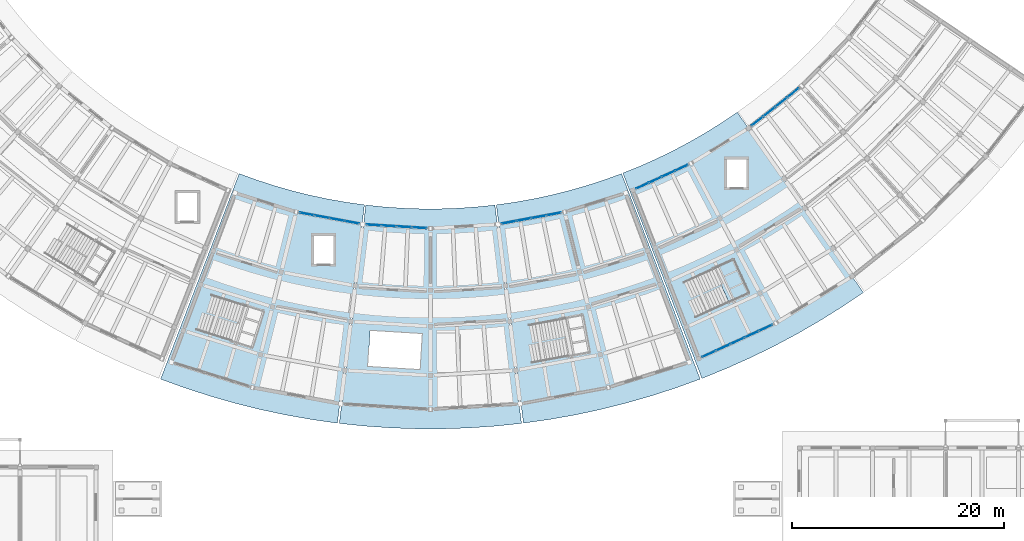
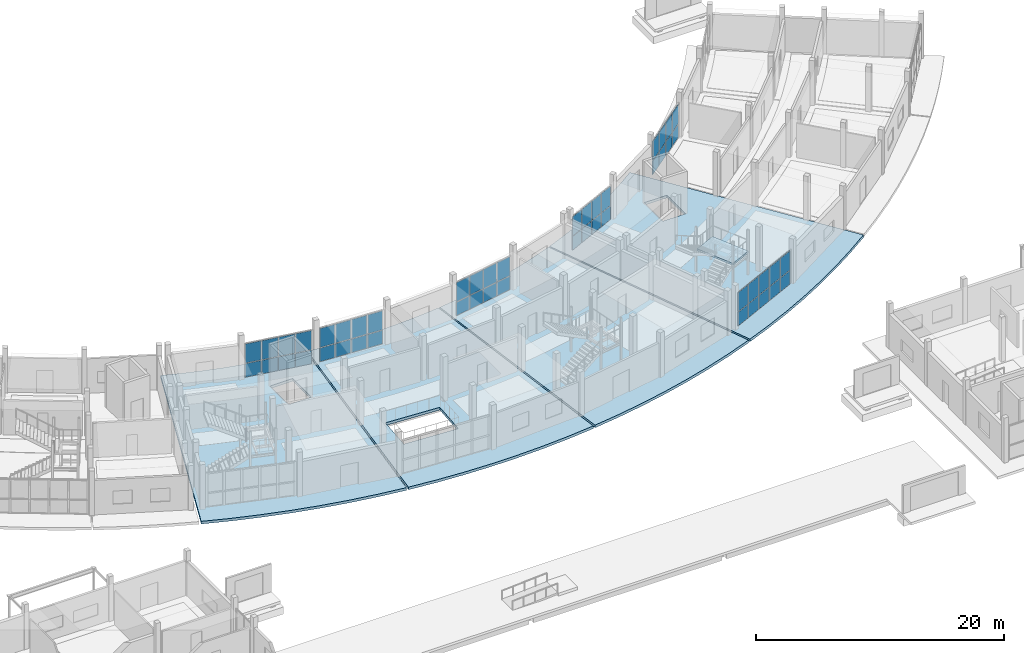
# One storey, part 52 of 92: 50 plates, 5 slabs, 7 elements without a shape of their own.
"""IFC4 building model written with IfcOpenShell, lengths in metres."""

from ifc_helpers import new_model, si_unit, direction, frame, origin, origin_2d, place, context, subcontext, project, spatial, polyline, rectangle, outline, extrude, material, layer, layer_set, type_object, element, aggregate, save


model = new_model("IFC4")

# Units and contexts
model_context = context("Model", 3, precision=1e-05, world=origin(), true_north=direction((0.0, 1.0)))
body_context = subcontext(model_context, "Body", "Model", "MODEL_VIEW")
ifc_project = project(units=[si_unit("LENGTHUNIT", "METRE"), si_unit("AREAUNIT", "SQUARE_METRE"), si_unit("VOLUMEUNIT", "CUBIC_METRE"), si_unit("PLANEANGLEUNIT", "RADIAN"), si_unit("MASSUNIT", "GRAM", prefix="KILO")], contexts=[model_context])

# Site, building, storey
site_placement = place(None, origin())
site = spatial("IfcSite", under=ifc_project, at=site_placement, CompositionType="ELEMENT")
building_placement = place(site_placement, origin())
building = spatial("IfcBuilding", under=site, at=building_placement, Name="Caldaven Crescent School", CompositionType="ELEMENT")
storey_placement = place(building_placement, origin())
storey = spatial("IfcBuildingStorey", under=building, at=storey_placement, Name="L00", CompositionType="ELEMENT", Elevation=0.0)

# Curtain wall, plates
ifc_material_1 = material(Name="Anodised aluminium AA 6063-T6 and low-E double glazing", Category="aluminium")
ifc_layer_1 = layer(ifc_material_1, 0.22998046875)
ifc_layer_set_1 = layer_set([ifc_layer_1], Name="Anodised aluminium AA 6063-T6 and low-E double glazing")
curtain_wall_type_1 = type_object("IfcCurtainWallType", Name="CW-SYS4", PredefinedType="NOTDEFINED", material=ifc_layer_set_1)
curtain_wall_1_placement = place(storey_placement, origin())
curtain_wall_1 = element("IfcCurtainWall", 1, at=curtain_wall_1_placement, inside=storey, type_object=curtain_wall_type_1, Name="CW-L00-108", PredefinedType="NOTDEFINED")
ifc_material_2 = material(Name="Tempered low-E double glazing IGU", Category="glass")
ifc_layer_2 = layer(ifc_material_2, 0.050048828125)
ifc_layer_set_2 = layer_set([ifc_layer_2], Name="Tempered low-E double glazing IGU")
plate_type_1 = type_object("IfcPlateType", Name="PLT-CWP13", PredefinedType="CURTAIN_PANEL", material=ifc_layer_set_2)
plate_1_placement = place(storey_placement, frame((76.33544921875, 44.918212890625, 0.06005859375), z_axis=(0.0, 0.0, 1.0), x_axis=(0.983254744401, -0.182236405836, 0.0)))
plate_1 = element("IfcPlate", 2, at=plate_1_placement, type_object=plate_type_1, Name="CW4 panel 1.1", PredefinedType="CURTAIN_PANEL", context=body_context, shape_type="SweptSolid", body=[
    extrude(rectangle(XDim=1.353515625, YDim=0.050048828125, at=origin_2d()), origin(), (0.0, 0.0, 1.0), 1.337890625),
])
plate_2_placement = place(storey_placement, frame((76.33544921875, 44.918212890625, 1.4580078125), z_axis=(0.0, 0.0, 1.0), x_axis=(0.983254744401, -0.182236405836, 0.0)))
plate_2 = element("IfcPlate", 3, at=plate_2_placement, type_object=plate_type_1, Name="CW4 panel 1.2", PredefinedType="CURTAIN_PANEL", context=body_context, shape_type="SweptSolid", body=[
    extrude(rectangle(XDim=1.353515625, YDim=0.050048828125, at=origin_2d()), origin(), (0.0, 0.0, 1.0), 1.882080078125),
])
plate_3_placement = place(storey_placement, frame((77.746337890625, 44.65673828125, 0.06005859375), z_axis=(0.0, 0.0, 1.0), x_axis=(0.983254744401, -0.182236405836, 0.0)))
plate_3 = element("IfcPlate", 4, at=plate_3_placement, type_object=plate_type_1, Name="CW4 panel 2.1", PredefinedType="CURTAIN_PANEL", context=body_context, shape_type="SweptSolid", body=[
    extrude(rectangle(XDim=1.385986328125, YDim=0.050048828125, at=origin_2d()), origin(), (0.0, 0.0, 1.0), 1.337890625),
])
plate_4_placement = place(storey_placement, frame((77.746337890625, 44.65673828125, 1.4580078125), z_axis=(0.0, 0.0, 1.0), x_axis=(0.983254744401, -0.182236405836, 0.0)))
plate_4 = element("IfcPlate", 5, at=plate_4_placement, type_object=plate_type_1, Name="CW4 panel 2.2", PredefinedType="CURTAIN_PANEL", context=body_context, shape_type="SweptSolid", body=[
    extrude(rectangle(XDim=1.385986328125, YDim=0.050048828125, at=origin_2d()), origin(), (0.0, 0.0, 1.0), 1.882080078125),
])
plate_5_placement = place(storey_placement, frame((79.1728515625, 44.392333984375, 0.06005859375), z_axis=(0.0, 0.0, 1.0), x_axis=(0.983254744401, -0.182236405836, 0.0)))
plate_5 = element("IfcPlate", 6, at=plate_5_placement, type_object=plate_type_1, Name="CW4 panel 3.1", PredefinedType="CURTAIN_PANEL", context=body_context, shape_type="SweptSolid", body=[
    extrude(rectangle(XDim=1.385986328125, YDim=0.050048828125, at=origin_2d()), origin(), (0.0, 0.0, 1.0), 1.337890625),
])
plate_6_placement = place(storey_placement, frame((79.1728515625, 44.392333984375, 1.4580078125), z_axis=(0.0, 0.0, 1.0), x_axis=(0.983254744401, -0.182236405836, 0.0)))
plate_6 = element("IfcPlate", 7, at=plate_6_placement, type_object=plate_type_1, Name="CW4 panel 3.2", PredefinedType="CURTAIN_PANEL", context=body_context, shape_type="SweptSolid", body=[
    extrude(rectangle(XDim=1.385986328125, YDim=0.050048828125, at=origin_2d()), origin(), (0.0, 0.0, 1.0), 1.882080078125),
])
plate_7_placement = place(storey_placement, frame((80.583740234375, 44.130859375, 0.06005859375), z_axis=(0.0, 0.0, 1.0), x_axis=(0.983254744401, -0.182236405836, 0.0)))
plate_7 = element("IfcPlate", 8, at=plate_7_placement, type_object=plate_type_1, Name="CW4 panel 4.1", PredefinedType="CURTAIN_PANEL", context=body_context, shape_type="SweptSolid", body=[
    extrude(rectangle(XDim=1.353515625, YDim=0.050048828125, at=origin_2d()), origin(), (0.0, 0.0, 1.0), 1.337890625),
])
plate_8_placement = place(storey_placement, frame((80.583740234375, 44.130859375, 1.4580078125), z_axis=(0.0, 0.0, 1.0), x_axis=(0.983254744401, -0.182236405836, 0.0)))
plate_8 = element("IfcPlate", 9, at=plate_8_placement, type_object=plate_type_1, Name="CW4 panel 4.2", PredefinedType="CURTAIN_PANEL", context=body_context, shape_type="SweptSolid", body=[
    extrude(rectangle(XDim=1.353515625, YDim=0.050048828125, at=origin_2d()), origin(), (0.0, 0.0, 1.0), 1.882080078125),
])
aggregate(curtain_wall_1, [plate_1, plate_2, plate_3, plate_4, plate_5, plate_6, plate_7, plate_8])

ifc_layer_3 = layer(ifc_material_1, 0.169921875)
ifc_layer_set_3 = layer_set([ifc_layer_3], Name="Anodised aluminium AA 6063-T6 and low-E double glazing")
curtain_wall_type_2 = type_object("IfcCurtainWallType", Name="CW-SYS1", PredefinedType="NOTDEFINED", material=ifc_layer_set_3)
curtain_wall_2_placement = place(storey_placement, origin())
curtain_wall_2 = element("IfcCurtainWall", 10, at=curtain_wall_2_placement, inside=storey, type_object=curtain_wall_type_2, Name="CW-L00-109", PredefinedType="NOTDEFINED")
ifc_layer_4 = layer(ifc_material_2, 0.052001953125)
ifc_layer_set_4 = layer_set([ifc_layer_4], Name="Tempered low-E double glazing IGU")
plate_type_2 = type_object("IfcPlateType", Name="PLT-CWP14", PredefinedType="CURTAIN_PANEL", material=ifc_layer_set_4)
plate_9_placement = place(storey_placement, frame((82.64892578125, 43.877197265625, 0.06494140625), z_axis=(0.0, 0.0, 1.0), x_axis=(0.998134750717, -0.061049319496, 0.0)))
plate_9 = element("IfcPlate", 11, at=plate_9_placement, type_object=plate_type_2, Name="CW1 panel 1.1", PredefinedType="CURTAIN_PANEL", context=body_context, shape_type="SweptSolid", body=[
    extrude(rectangle(XDim=1.345947265625, YDim=0.052001953125, at=origin_2d()), origin(), (0.0, 0.0, 1.0), 1.33056640625),
])
plate_10_placement = place(storey_placement, frame((82.64892578125, 43.877197265625, 1.46044921875), z_axis=(0.0, 0.0, 1.0), x_axis=(0.998134750717, -0.061049319496, 0.0)))
plate_10 = element("IfcPlate", 12, at=plate_10_placement, type_object=plate_type_2, Name="CW1 panel 1.2", PredefinedType="CURTAIN_PANEL", context=body_context, shape_type="SweptSolid", body=[
    extrude(rectangle(XDim=1.345947265625, YDim=0.052001953125, at=origin_2d()), origin(), (0.0, 0.0, 1.0), 1.87451171875),
])
plate_11_placement = place(storey_placement, frame((84.079833984375, 43.789794921875, 0.06494140625), z_axis=(0.0, 0.0, 1.0), x_axis=(0.998134750717, -0.061049319496, 0.0)))
plate_11 = element("IfcPlate", 13, at=plate_11_placement, type_object=plate_type_2, Name="CW1 panel 2.1", PredefinedType="CURTAIN_PANEL", context=body_context, shape_type="SweptSolid", body=[
    extrude(rectangle(XDim=1.381103515625, YDim=0.052001953125, at=origin_2d()), origin(), (0.0, 0.0, 1.0), 1.33056640625),
])
plate_12_placement = place(storey_placement, frame((84.079833984375, 43.789794921875, 1.46044921875), z_axis=(0.0, 0.0, 1.0), x_axis=(0.998134750717, -0.061049319496, 0.0)))
plate_12 = element("IfcPlate", 14, at=plate_12_placement, type_object=plate_type_2, Name="CW1 panel 2.2", PredefinedType="CURTAIN_PANEL", context=body_context, shape_type="SweptSolid", body=[
    extrude(rectangle(XDim=1.381103515625, YDim=0.052001953125, at=origin_2d()), origin(), (0.0, 0.0, 1.0), 1.87451171875),
])
plate_13_placement = place(storey_placement, frame((85.528076171875, 43.701171875, 0.06494140625), z_axis=(0.0, 0.0, 1.0), x_axis=(0.998134750717, -0.061049319496, 0.0)))
plate_13 = element("IfcPlate", 15, at=plate_13_placement, type_object=plate_type_2, Name="CW1 panel 3.1", PredefinedType="CURTAIN_PANEL", context=body_context, shape_type="SweptSolid", body=[
    extrude(rectangle(XDim=1.381103515625, YDim=0.052001953125, at=origin_2d()), origin(), (0.0, 0.0, 1.0), 1.33056640625),
])
plate_14_placement = place(storey_placement, frame((85.528076171875, 43.701171875, 1.46044921875), z_axis=(0.0, 0.0, 1.0), x_axis=(0.998134750717, -0.061049319496, 0.0)))
plate_14 = element("IfcPlate", 16, at=plate_14_placement, type_object=plate_type_2, Name="CW1 panel 3.2", PredefinedType="CURTAIN_PANEL", context=body_context, shape_type="SweptSolid", body=[
    extrude(rectangle(XDim=1.381103515625, YDim=0.052001953125, at=origin_2d()), origin(), (0.0, 0.0, 1.0), 1.87451171875),
])
plate_15_placement = place(storey_placement, frame((86.958984375, 43.61376953125, 0.06494140625), z_axis=(0.0, 0.0, 1.0), x_axis=(0.998134750717, -0.061049319496, 0.0)))
plate_15 = element("IfcPlate", 17, at=plate_15_placement, type_object=plate_type_2, Name="CW1 panel 4.1", PredefinedType="CURTAIN_PANEL", context=body_context, shape_type="SweptSolid", body=[
    extrude(rectangle(XDim=1.345947265625, YDim=0.052001953125, at=origin_2d()), origin(), (0.0, 0.0, 1.0), 1.33056640625),
])
plate_16_placement = place(storey_placement, frame((86.958984375, 43.61376953125, 1.46044921875), z_axis=(0.0, 0.0, 1.0), x_axis=(0.998134750717, -0.061049319496, 0.0)))
plate_16 = element("IfcPlate", 18, at=plate_16_placement, type_object=plate_type_2, Name="CW1 panel 4.2", PredefinedType="CURTAIN_PANEL", context=body_context, shape_type="SweptSolid", body=[
    extrude(rectangle(XDim=1.345947265625, YDim=0.052001953125, at=origin_2d()), origin(), (0.0, 0.0, 1.0), 1.87451171875),
])
aggregate(curtain_wall_2, [plate_9, plate_10, plate_11, plate_12, plate_13, plate_14, plate_15, plate_16])

ifc_layer_5 = layer(ifc_material_1, 0.2099609375)
ifc_layer_set_5 = layer_set([ifc_layer_5], Name="Anodised aluminium AA 6063-T6 and low-E double glazing")
curtain_wall_type_3 = type_object("IfcCurtainWallType", Name="CW-SYS3", PredefinedType="NOTDEFINED", material=ifc_layer_set_5)
curtain_wall_3_placement = place(storey_placement, origin())
curtain_wall_3 = element("IfcCurtainWall", 19, at=curtain_wall_3_placement, inside=storey, type_object=curtain_wall_type_3, Name="CW-L00-111", PredefinedType="NOTDEFINED")
ifc_layer_6 = layer(ifc_material_2, 0.055908203125)
ifc_layer_set_6 = layer_set([ifc_layer_6], Name="Tempered low-E double glazing IGU")
plate_type_3 = type_object("IfcPlateType", Name="PLT-CWP16", PredefinedType="CURTAIN_PANEL", material=ifc_layer_set_6)
plate_17_placement = place(storey_placement, frame((95.416259765625, 44.130859375, 0.06982421875), z_axis=(0.0, 0.0, 1.0), x_axis=(0.983254744401, 0.182236405836, 0.0)))
plate_17 = element("IfcPlate", 20, at=plate_17_placement, type_object=plate_type_3, Name="CW3 panel 1.1", PredefinedType="CURTAIN_PANEL", context=body_context, shape_type="SweptSolid", body=[
    extrude(rectangle(XDim=1.353515625, YDim=0.055908203125, at=origin_2d()), origin(), (0.0, 0.0, 1.0), 1.322998046875),
])
plate_18_placement = place(storey_placement, frame((95.416259765625, 44.130859375, 1.462890625), z_axis=(0.0, 0.0, 1.0), x_axis=(0.983254744401, 0.182236405836, 0.0)))
plate_18 = element("IfcPlate", 21, at=plate_18_placement, type_object=plate_type_3, Name="CW3 panel 1.2", PredefinedType="CURTAIN_PANEL", context=body_context, shape_type="SweptSolid", body=[
    extrude(rectangle(XDim=1.353515625, YDim=0.055908203125, at=origin_2d()), origin(), (0.0, 0.0, 1.0), 1.866943359375),
])
plate_19_placement = place(storey_placement, frame((96.8271484375, 44.392333984375, 0.06982421875), z_axis=(0.0, 0.0, 1.0), x_axis=(0.983254744401, 0.182236405836, 0.0)))
plate_19 = element("IfcPlate", 22, at=plate_19_placement, type_object=plate_type_3, Name="CW3 panel 2.1", PredefinedType="CURTAIN_PANEL", context=body_context, shape_type="SweptSolid", body=[
    extrude(rectangle(XDim=1.385986328125, YDim=0.055908203125, at=origin_2d()), origin(), (0.0, 0.0, 1.0), 1.322998046875),
])
plate_20_placement = place(storey_placement, frame((96.8271484375, 44.392333984375, 1.462890625), z_axis=(0.0, 0.0, 1.0), x_axis=(0.983254744401, 0.182236405836, 0.0)))
plate_20 = element("IfcPlate", 23, at=plate_20_placement, type_object=plate_type_3, Name="CW3 panel 2.2", PredefinedType="CURTAIN_PANEL", context=body_context, shape_type="SweptSolid", body=[
    extrude(rectangle(XDim=1.385986328125, YDim=0.055908203125, at=origin_2d()), origin(), (0.0, 0.0, 1.0), 1.866943359375),
])
plate_21_placement = place(storey_placement, frame((98.253662109375, 44.65673828125, 0.06982421875), z_axis=(0.0, 0.0, 1.0), x_axis=(0.983254744401, 0.182236405836, 0.0)))
plate_21 = element("IfcPlate", 24, at=plate_21_placement, type_object=plate_type_3, Name="CW3 panel 3.1", PredefinedType="CURTAIN_PANEL", context=body_context, shape_type="SweptSolid", body=[
    extrude(rectangle(XDim=1.385986328125, YDim=0.055908203125, at=origin_2d()), origin(), (0.0, 0.0, 1.0), 1.322998046875),
])
plate_22_placement = place(storey_placement, frame((98.253662109375, 44.65673828125, 1.462890625), z_axis=(0.0, 0.0, 1.0), x_axis=(0.983254744401, 0.182236405836, 0.0)))
plate_22 = element("IfcPlate", 25, at=plate_22_placement, type_object=plate_type_3, Name="CW3 panel 3.2", PredefinedType="CURTAIN_PANEL", context=body_context, shape_type="SweptSolid", body=[
    extrude(rectangle(XDim=1.385986328125, YDim=0.055908203125, at=origin_2d()), origin(), (0.0, 0.0, 1.0), 1.866943359375),
])
plate_23_placement = place(storey_placement, frame((99.66455078125, 44.918212890625, 0.06982421875), z_axis=(0.0, 0.0, 1.0), x_axis=(0.983254744401, 0.182236405836, 0.0)))
plate_23 = element("IfcPlate", 26, at=plate_23_placement, type_object=plate_type_3, Name="CW3 panel 4.1", PredefinedType="CURTAIN_PANEL", context=body_context, shape_type="SweptSolid", body=[
    extrude(rectangle(XDim=1.353515625, YDim=0.055908203125, at=origin_2d()), origin(), (0.0, 0.0, 1.0), 1.322998046875),
])
plate_24_placement = place(storey_placement, frame((99.66455078125, 44.918212890625, 1.462890625), z_axis=(0.0, 0.0, 1.0), x_axis=(0.983254744401, 0.182236405836, 0.0)))
plate_24 = element("IfcPlate", 27, at=plate_24_placement, type_object=plate_type_3, Name="CW3 panel 4.2", PredefinedType="CURTAIN_PANEL", context=body_context, shape_type="SweptSolid", body=[
    extrude(rectangle(XDim=1.353515625, YDim=0.055908203125, at=origin_2d()), origin(), (0.0, 0.0, 1.0), 1.866943359375),
])
aggregate(curtain_wall_3, [plate_17, plate_18, plate_19, plate_20, plate_21, plate_22, plate_23, plate_24])

curtain_wall_4_placement = place(storey_placement, origin())
curtain_wall_4 = element("IfcCurtainWall", 28, at=curtain_wall_4_placement, inside=storey, type_object=curtain_wall_type_2, Name="CW-L00-112", PredefinedType="NOTDEFINED")
ifc_layer_7 = layer(ifc_material_2, 0.05810546875)
ifc_layer_set_7 = layer_set([ifc_layer_7], Name="Tempered low-E double glazing IGU")
plate_type_4 = type_object("IfcPlateType", Name="PLT-CWP17", PredefinedType="CURTAIN_PANEL", material=ifc_layer_set_7)
plate_25_placement = place(storey_placement, frame((108.03759765625, 47.580078125, 0.06005859375), z_axis=(0.0, 0.0, 1.0), x_axis=(0.908527944654, 0.417824094306, 0.0)))
plate_25 = element("IfcPlate", 29, at=plate_25_placement, type_object=plate_type_4, Name="CW1 panel 1.1", PredefinedType="CURTAIN_PANEL", context=body_context, shape_type="SweptSolid", body=[
    extrude(rectangle(XDim=1.270751953125, YDim=0.05810546875, at=origin_2d()), origin(), (0.0, 0.0, 1.0), 1.337890625),
])
plate_26_placement = place(storey_placement, frame((108.03759765625, 47.580078125, 1.4580078125), z_axis=(0.0, 0.0, 1.0), x_axis=(0.908527944654, 0.417824094306, 0.0)))
plate_26 = element("IfcPlate", 30, at=plate_26_placement, type_object=plate_type_4, Name="CW1 panel 1.2", PredefinedType="CURTAIN_PANEL", context=body_context, shape_type="SweptSolid", body=[
    extrude(rectangle(XDim=1.270751953125, YDim=0.05810546875, at=origin_2d()), origin(), (0.0, 0.0, 1.0), 1.882080078125),
])
plate_27_placement = place(storey_placement, frame((109.26025390625, 48.142578125, 0.06005859375), z_axis=(0.0, 0.0, 1.0), x_axis=(0.908527944654, 0.417824094306, 0.0)))
plate_27 = element("IfcPlate", 31, at=plate_27_placement, type_object=plate_type_4, Name="CW1 panel 2.1", PredefinedType="CURTAIN_PANEL", context=body_context, shape_type="SweptSolid", body=[
    extrude(rectangle(XDim=1.30078125, YDim=0.05810546875, at=origin_2d()), origin(), (0.0, 0.0, 1.0), 1.337890625),
])
plate_28_placement = place(storey_placement, frame((109.26025390625, 48.142578125, 1.4580078125), z_axis=(0.0, 0.0, 1.0), x_axis=(0.908527944654, 0.417824094306, 0.0)))
plate_28 = element("IfcPlate", 32, at=plate_28_placement, type_object=plate_type_4, Name="CW1 panel 2.2", PredefinedType="CURTAIN_PANEL", context=body_context, shape_type="SweptSolid", body=[
    extrude(rectangle(XDim=1.30078125, YDim=0.05810546875, at=origin_2d()), origin(), (0.0, 0.0, 1.0), 1.882080078125),
])
plate_29_placement = place(storey_placement, frame((110.49658203125, 48.711181640625, 0.06005859375), z_axis=(0.0, 0.0, 1.0), x_axis=(0.908527944654, 0.417824094306, 0.0)))
plate_29 = element("IfcPlate", 33, at=plate_29_placement, type_object=plate_type_4, Name="CW1 panel 3.1", PredefinedType="CURTAIN_PANEL", context=body_context, shape_type="SweptSolid", body=[
    extrude(rectangle(XDim=1.30078125, YDim=0.05810546875, at=origin_2d()), origin(), (0.0, 0.0, 1.0), 1.337890625),
])
plate_30_placement = place(storey_placement, frame((110.49658203125, 48.711181640625, 1.4580078125), z_axis=(0.0, 0.0, 1.0), x_axis=(0.908527944654, 0.417824094306, 0.0)))
plate_30 = element("IfcPlate", 34, at=plate_30_placement, type_object=plate_type_4, Name="CW1 panel 3.2", PredefinedType="CURTAIN_PANEL", context=body_context, shape_type="SweptSolid", body=[
    extrude(rectangle(XDim=1.30078125, YDim=0.05810546875, at=origin_2d()), origin(), (0.0, 0.0, 1.0), 1.882080078125),
])
plate_31_placement = place(storey_placement, frame((111.719482421875, 49.2734375, 0.06005859375), z_axis=(0.0, 0.0, 1.0), x_axis=(0.908527944654, 0.417824094306, 0.0)))
plate_31 = element("IfcPlate", 35, at=plate_31_placement, type_object=plate_type_4, Name="CW1 panel 4.1", PredefinedType="CURTAIN_PANEL", context=body_context, shape_type="SweptSolid", body=[
    extrude(rectangle(XDim=1.270751953125, YDim=0.05810546875, at=origin_2d()), origin(), (0.0, 0.0, 1.0), 1.337890625),
])
plate_32_placement = place(storey_placement, frame((111.719482421875, 49.2734375, 1.4580078125), z_axis=(0.0, 0.0, 1.0), x_axis=(0.908527944654, 0.417824094306, 0.0)))
plate_32 = element("IfcPlate", 36, at=plate_32_placement, type_object=plate_type_4, Name="CW1 panel 4.2", PredefinedType="CURTAIN_PANEL", context=body_context, shape_type="SweptSolid", body=[
    extrude(rectangle(XDim=1.270751953125, YDim=0.05810546875, at=origin_2d()), origin(), (0.0, 0.0, 1.0), 1.882080078125),
])
aggregate(curtain_wall_4, [plate_25, plate_26, plate_27, plate_28, plate_29, plate_30, plate_31, plate_32])

curtain_wall_5_placement = place(storey_placement, origin())
curtain_wall_5 = element("IfcCurtainWall", 37, at=curtain_wall_5_placement, inside=storey, type_object=curtain_wall_type_3, Name="CW-L00-113", PredefinedType="NOTDEFINED")
ifc_layer_8 = layer(ifc_material_2, 0.06005859375)
ifc_layer_set_8 = layer_set([ifc_layer_8], Name="Tempered low-E double glazing IGU")
plate_type_5 = type_object("IfcPlateType", Name="PLT-CWP18", PredefinedType="CURTAIN_PANEL", material=ifc_layer_set_8)
plate_33_placement = place(storey_placement, frame((114.3330078125, 31.68505859375, 0.06494140625), z_axis=(0.0, 0.0, 1.0), x_axis=(0.908528252306, 0.417823425339, 0.0)))
plate_33 = element("IfcPlate", 38, at=plate_33_placement, type_object=plate_type_5, Name="CW3 panel 1.1", PredefinedType="CURTAIN_PANEL", context=body_context, shape_type="SweptSolid", body=[
    extrude(rectangle(XDim=1.377685546875, YDim=0.06005859375, at=origin_2d()), origin(), (0.0, 0.0, 1.0), 1.33056640625),
])
plate_34_placement = place(storey_placement, frame((114.3330078125, 31.68505859375, 1.46044921875), z_axis=(0.0, 0.0, 1.0), x_axis=(0.908528252306, 0.417823425339, 0.0)))
plate_34 = element("IfcPlate", 39, at=plate_34_placement, type_object=plate_type_5, Name="CW3 panel 1.2", PredefinedType="CURTAIN_PANEL", context=body_context, shape_type="SweptSolid", body=[
    extrude(rectangle(XDim=1.377685546875, YDim=0.06005859375, at=origin_2d()), origin(), (0.0, 0.0, 1.0), 1.87451171875),
])
plate_35_placement = place(storey_placement, frame((115.664306640625, 32.29736328125, 0.06494140625), z_axis=(0.0, 0.0, 1.0), x_axis=(0.908528252306, 0.417823425339, 0.0)))
plate_35 = element("IfcPlate", 40, at=plate_35_placement, type_object=plate_type_5, Name="CW3 panel 2.1", PredefinedType="CURTAIN_PANEL", context=body_context, shape_type="SweptSolid", body=[
    extrude(rectangle(XDim=1.412841796875, YDim=0.06005859375, at=origin_2d()), origin(), (0.0, 0.0, 1.0), 1.33056640625),
])
plate_36_placement = place(storey_placement, frame((115.664306640625, 32.29736328125, 1.46044921875), z_axis=(0.0, 0.0, 1.0), x_axis=(0.908528252306, 0.417823425339, 0.0)))
plate_36 = element("IfcPlate", 41, at=plate_36_placement, type_object=plate_type_5, Name="CW3 panel 2.2", PredefinedType="CURTAIN_PANEL", context=body_context, shape_type="SweptSolid", body=[
    extrude(rectangle(XDim=1.412841796875, YDim=0.06005859375, at=origin_2d()), origin(), (0.0, 0.0, 1.0), 1.87451171875),
])
plate_37_placement = place(storey_placement, frame((117.011474609375, 32.916748046875, 0.06494140625), z_axis=(0.0, 0.0, 1.0), x_axis=(0.908528252306, 0.417823425339, 0.0)))
plate_37 = element("IfcPlate", 42, at=plate_37_placement, type_object=plate_type_5, Name="CW3 panel 3.1", PredefinedType="CURTAIN_PANEL", context=body_context, shape_type="SweptSolid", body=[
    extrude(rectangle(XDim=1.412841796875, YDim=0.06005859375, at=origin_2d()), origin(), (0.0, 0.0, 1.0), 1.33056640625),
])
plate_38_placement = place(storey_placement, frame((117.011474609375, 32.916748046875, 1.46044921875), z_axis=(0.0, 0.0, 1.0), x_axis=(0.908528252306, 0.417823425339, 0.0)))
plate_38 = element("IfcPlate", 43, at=plate_38_placement, type_object=plate_type_5, Name="CW3 panel 3.2", PredefinedType="CURTAIN_PANEL", context=body_context, shape_type="SweptSolid", body=[
    extrude(rectangle(XDim=1.412841796875, YDim=0.06005859375, at=origin_2d()), origin(), (0.0, 0.0, 1.0), 1.87451171875),
])
plate_39_placement = place(storey_placement, frame((118.3583984375, 33.536376953125, 0.06494140625), z_axis=(0.0, 0.0, 1.0), x_axis=(0.908528252306, 0.417823425339, 0.0)))
plate_39 = element("IfcPlate", 44, at=plate_39_placement, type_object=plate_type_5, Name="CW3 panel 4.1", PredefinedType="CURTAIN_PANEL", context=body_context, shape_type="SweptSolid", body=[
    extrude(rectangle(XDim=1.412841796875, YDim=0.06005859375, at=origin_2d()), origin(), (0.0, 0.0, 1.0), 1.33056640625),
])
plate_40_placement = place(storey_placement, frame((118.3583984375, 33.536376953125, 1.46044921875), z_axis=(0.0, 0.0, 1.0), x_axis=(0.908528252306, 0.417823425339, 0.0)))
plate_40 = element("IfcPlate", 45, at=plate_40_placement, type_object=plate_type_5, Name="CW3 panel 4.2", PredefinedType="CURTAIN_PANEL", context=body_context, shape_type="SweptSolid", body=[
    extrude(rectangle(XDim=1.412841796875, YDim=0.06005859375, at=origin_2d()), origin(), (0.0, 0.0, 1.0), 1.87451171875),
])
plate_41_placement = place(storey_placement, frame((119.689697265625, 34.148681640625, 0.06494140625), z_axis=(0.0, 0.0, 1.0), x_axis=(0.908528252306, 0.417823425339, 0.0)))
plate_41 = element("IfcPlate", 46, at=plate_41_placement, type_object=plate_type_5, Name="CW3 panel 5.1", PredefinedType="CURTAIN_PANEL", context=body_context, shape_type="SweptSolid", body=[
    extrude(rectangle(XDim=1.377685546875, YDim=0.06005859375, at=origin_2d()), origin(), (0.0, 0.0, 1.0), 1.33056640625),
])
plate_42_placement = place(storey_placement, frame((119.689697265625, 34.148681640625, 1.46044921875), z_axis=(0.0, 0.0, 1.0), x_axis=(0.908528252306, 0.417823425339, 0.0)))
plate_42 = element("IfcPlate", 47, at=plate_42_placement, type_object=plate_type_5, Name="CW3 panel 5.2", PredefinedType="CURTAIN_PANEL", context=body_context, shape_type="SweptSolid", body=[
    extrude(rectangle(XDim=1.377685546875, YDim=0.06005859375, at=origin_2d()), origin(), (0.0, 0.0, 1.0), 1.87451171875),
])
aggregate(curtain_wall_5, [plate_33, plate_34, plate_35, plate_36, plate_37, plate_38, plate_39, plate_40, plate_41, plate_42])

curtain_wall_6_placement = place(storey_placement, origin())
curtain_wall_6 = element("IfcCurtainWall", 48, at=curtain_wall_6_placement, inside=storey, type_object=curtain_wall_type_3, Name="CW-L00-114", PredefinedType="NOTDEFINED")
ifc_material_3 = material(Name="Insulated bronze aluminium spandrel panel", Category="aluminium")
ifc_layer_9 = layer(ifc_material_3, 0.06201171875)
ifc_layer_set_9 = layer_set([ifc_layer_9], Name="Insulated bronze aluminium spandrel panel")
plate_type_6 = type_object("IfcPlateType", Name="PLT-CWP19", PredefinedType="CURTAIN_PANEL", material=ifc_layer_set_9)
plate_43_placement = place(storey_placement, frame((118.900390625, 53.684814453125, 0.06494140625), z_axis=(0.0, 0.0, 1.0), x_axis=(0.782608055493, 0.622514764063, 0.0)))
plate_43 = element("IfcPlate", 49, at=plate_43_placement, type_object=plate_type_6, Name="CW3 panel 1.1", PredefinedType="CURTAIN_PANEL", context=body_context, shape_type="SweptSolid", body=[
    extrude(rectangle(XDim=1.345947265625, YDim=0.06201171875, at=origin_2d()), origin(), (0.0, 0.0, 1.0), 1.33056640625),
])
plate_44_placement = place(storey_placement, frame((118.900390625, 53.684814453125, 1.46044921875), z_axis=(0.0, 0.0, 1.0), x_axis=(0.782608055493, 0.622514764063, 0.0)))
plate_44 = element("IfcPlate", 50, at=plate_44_placement, type_object=plate_type_6, Name="CW3 panel 1.2", PredefinedType="CURTAIN_PANEL", context=body_context, shape_type="SweptSolid", body=[
    extrude(rectangle(XDim=1.345947265625, YDim=0.06201171875, at=origin_2d()), origin(), (0.0, 0.0, 1.0), 1.87451171875),
])
plate_45_placement = place(storey_placement, frame((120.022216796875, 54.5771484375, 0.06494140625), z_axis=(0.0, 0.0, 1.0), x_axis=(0.782608055493, 0.622514764063, 0.0)))
plate_45 = element("IfcPlate", 51, at=plate_45_placement, type_object=plate_type_6, Name="CW3 panel 2.1", PredefinedType="CURTAIN_PANEL", context=body_context, shape_type="SweptSolid", body=[
    extrude(rectangle(XDim=1.381103515625, YDim=0.06201171875, at=origin_2d()), origin(), (0.0, 0.0, 1.0), 1.33056640625),
])
plate_46_placement = place(storey_placement, frame((120.022216796875, 54.5771484375, 1.46044921875), z_axis=(0.0, 0.0, 1.0), x_axis=(0.782608055493, 0.622514764063, 0.0)))
plate_46 = element("IfcPlate", 52, at=plate_46_placement, type_object=plate_type_6, Name="CW3 panel 2.2", PredefinedType="CURTAIN_PANEL", context=body_context, shape_type="SweptSolid", body=[
    extrude(rectangle(XDim=1.381103515625, YDim=0.06201171875, at=origin_2d()), origin(), (0.0, 0.0, 1.0), 1.87451171875),
])
plate_47_placement = place(storey_placement, frame((121.15771484375, 55.48046875, 0.06494140625), z_axis=(0.0, 0.0, 1.0), x_axis=(0.782608055493, 0.622514764063, 0.0)))
plate_47 = element("IfcPlate", 53, at=plate_47_placement, type_object=plate_type_6, Name="CW3 panel 3.1", PredefinedType="CURTAIN_PANEL", context=body_context, shape_type="SweptSolid", body=[
    extrude(rectangle(XDim=1.381103515625, YDim=0.06201171875, at=origin_2d()), origin(), (0.0, 0.0, 1.0), 1.33056640625),
])
plate_48_placement = place(storey_placement, frame((121.15771484375, 55.48046875, 1.46044921875), z_axis=(0.0, 0.0, 1.0), x_axis=(0.782608055493, 0.622514764063, 0.0)))
plate_48 = element("IfcPlate", 54, at=plate_48_placement, type_object=plate_type_6, Name="CW3 panel 3.2", PredefinedType="CURTAIN_PANEL", context=body_context, shape_type="SweptSolid", body=[
    extrude(rectangle(XDim=1.381103515625, YDim=0.06201171875, at=origin_2d()), origin(), (0.0, 0.0, 1.0), 1.87451171875),
])
plate_49_placement = place(storey_placement, frame((122.279541015625, 56.372802734375, 0.06494140625), z_axis=(0.0, 0.0, 1.0), x_axis=(0.782608055493, 0.622514764063, 0.0)))
plate_49 = element("IfcPlate", 55, at=plate_49_placement, type_object=plate_type_6, Name="CW3 panel 4.1", PredefinedType="CURTAIN_PANEL", context=body_context, shape_type="SweptSolid", body=[
    extrude(rectangle(XDim=1.345947265625, YDim=0.06201171875, at=origin_2d()), origin(), (0.0, 0.0, 1.0), 1.33056640625),
])
plate_50_placement = place(storey_placement, frame((122.279541015625, 56.372802734375, 1.46044921875), z_axis=(0.0, 0.0, 1.0), x_axis=(0.782608055493, 0.622514764063, 0.0)))
plate_50 = element("IfcPlate", 56, at=plate_50_placement, type_object=plate_type_6, Name="CW3 panel 4.2", PredefinedType="CURTAIN_PANEL", context=body_context, shape_type="SweptSolid", body=[
    extrude(rectangle(XDim=1.345947265625, YDim=0.06201171875, at=origin_2d()), origin(), (0.0, 0.0, 1.0), 1.87451171875),
])
aggregate(curtain_wall_6, [plate_43, plate_44, plate_45, plate_46, plate_47, plate_48, plate_49, plate_50])

# Slabs
ifc_material_4 = material(Name="Concrete C35/45", Category="concrete")
ifc_layer_10 = layer(ifc_material_4, 0.260009765625)
ifc_layer_set_10 = layer_set([ifc_layer_10], Name="Concrete C35/45")
slab_type_1 = type_object("IfcSlabType", Name="SLB-FS1", PredefinedType="FLOOR", material=ifc_layer_set_10)
slab_1_placement = place(storey_placement, frame((0.0, 0.0, -0.260009765625)))
element("IfcSlab", 57, at=slab_1_placement, inside=storey, type_object=slab_type_1, Name="SLB-V5-L00-B05", PredefinedType="FLOOR", context=body_context, shape_type="SweptSolid", body=[
    extrude(outline(polyline([(62.494384765625, 29.31103515625), (64.813720703125, 28.469482421875), (67.16064453125, 27.708740234375), (69.532470703125, 27.029541015625), (71.92626953125, 26.432861328125), (74.33935546875, 25.9189453125), (76.7685546875, 25.48876953125), (79.21142578125, 25.14306640625), (81.771728515625, 45.78466796875), (80.04052734375, 46.030029296875), (78.31884765625, 46.334716796875), (76.60888671875, 46.698974609375), (74.912353515625, 47.121826171875), (73.2314453125, 47.603271484375), (71.568359375, 48.142333984375), (69.924560546875, 48.738525390625), (62.494384765625, 29.31103515625)]), holes=[polyline([(76.854248046875, 40.027587890625), (76.854248046875, 43.027587890625), (78.9541015625, 43.027587890625), (78.9541015625, 40.027587890625), (76.854248046875, 40.027587890625)])]), origin(), (0.0, 0.0, 1.0), 0.260009765625),
])
slab_2_placement = place(storey_placement, frame((0.0, 0.0, -0.260009765625)))
element("IfcSlab", 58, at=slab_2_placement, inside=storey, type_object=slab_type_1, Name="SLB-V5-L00-B07", PredefinedType="FLOOR", context=body_context, shape_type="SweptSolid", body=[
    extrude(outline(polyline([(79.3857421875, 25.12158203125), (81.839599609375, 24.8662109375), (84.30078125, 24.69580078125), (86.766357421875, 24.610595703125), (89.233642578125, 24.610595703125), (91.69921875, 24.69580078125), (94.160400390625, 24.8662109375), (96.6142578125, 25.12158203125), (94.104736328125, 45.76953125), (92.36572265625, 45.588623046875), (90.62158203125, 45.468017578125), (88.874267578125, 45.407470703125), (87.125732421875, 45.407470703125), (85.37841796875, 45.468017578125), (83.63427734375, 45.588623046875), (81.895263671875, 45.76953125), (79.3857421875, 25.12158203125)]), holes=[polyline([(82.101318359375, 30.548095703125), (82.30517578125, 33.8818359375), (87.197998046875, 33.58251953125), (86.994140625, 30.248779296875), (82.101318359375, 30.548095703125)])]), origin(), (0.0, 0.0, 1.0), 0.260009765625),
])
slab_3_placement = place(storey_placement, frame((0.0, 0.0, -0.260009765625)))
element("IfcSlab", 59, at=slab_3_placement, inside=storey, type_object=slab_type_1, Name="SLB-V5-L00-B09", PredefinedType="FLOOR", context=body_context, shape_type="SweptSolid", body=[
    extrude(outline(polyline([(96.78857421875, 25.14306640625), (99.2314453125, 25.48876953125), (101.66064453125, 25.9189453125), (104.07373046875, 26.432861328125), (106.467529296875, 27.029541015625), (108.83935546875, 27.708740234375), (111.186279296875, 28.469482421875), (113.505615234375, 29.31103515625), (106.075439453125, 48.738525390625), (104.431640625, 48.142333984375), (102.7685546875, 47.603271484375), (101.087646484375, 47.121826171875), (99.39111328125, 46.698974609375), (97.68115234375, 46.334716796875), (95.95947265625, 46.030029296875), (94.228271484375, 45.78466796875), (96.78857421875, 25.14306640625)])), origin(), (0.0, 0.0, 1.0), 0.260009765625),
])
slab_4_placement = place(storey_placement, frame((0.0, 0.0, -0.260009765625)))
element("IfcSlab", 60, at=slab_4_placement, inside=storey, type_object=slab_type_1, Name="SLB-V4E-L00-B11", PredefinedType="FLOOR", context=body_context, shape_type="SweptSolid", body=[
    extrude(outline(polyline([(113.66943359375, 29.373779296875), (115.96435546875, 30.30419921875), (118.2255859375, 31.313232421875), (120.45068359375, 32.400390625), (122.63671875, 33.56396484375), (124.781005859375, 34.802490234375), (126.880859375, 36.11474609375), (128.93408203125, 37.4990234375), (117.00927734375, 54.54150390625), (115.55419921875, 53.560302734375), (114.06591796875, 52.63037109375), (112.54638671875, 51.752685546875), (110.997314453125, 50.927978515625), (109.42041015625, 50.15771484375), (107.81787109375, 49.4423828125), (106.19140625, 48.783203125), (113.66943359375, 29.373779296875)]), holes=[polyline([(115.896484375, 47.263671875), (115.896484375, 50.263671875), (117.996337890625, 50.263671875), (117.996337890625, 47.263671875), (115.896484375, 47.263671875)])]), origin(), (0.0, 0.0, 1.0), 0.260009765625),
])

# Stair, slab
ifc_material_5 = material(Name="Precast concrete C30/37", Category="concrete")
stair_type = type_object("IfcStairType", Name="STR-S5", PredefinedType="TWO_STRAIGHT_RUN_STAIR", material=ifc_material_5)
stair_placement = place(storey_placement, origin())
stair = element("IfcStair", 61, at=stair_placement, inside=storey, type_object=stair_type, Name="STAIR-ST4-L00", PredefinedType="TWO_STRAIGHT_RUN_STAIR")
ifc_material_6 = material(Name="Concrete C30/37", Category="concrete")
ifc_layer_11 = layer(ifc_material_6, 0.195068359375)
ifc_layer_set_11 = layer_set([ifc_layer_11], Name="Concrete C30/37")
slab_type_2 = type_object("IfcSlabType", Name="SLB-LND2", PredefinedType="LANDING", material=ifc_layer_set_11)
slab_5_placement = place(storey_placement, frame((0.0, 0.0, 2.014892578125)))
slab_5 = element("IfcSlab", 62, at=slab_5_placement, type_object=slab_type_2, Name="ST4-L00 landing 1", PredefinedType="LANDING", context=body_context, shape_type="SweptSolid", body=[
    extrude(outline(polyline([(116.225830078125, 36.552490234375), (118.189697265625, 37.447509765625), (116.71337890625, 40.686767578125), (114.74951171875, 39.7919921875), (116.225830078125, 36.552490234375)])), origin(), (0.0, 0.0, 1.0), 0.195068359375),
])
aggregate(stair, [slab_5])

save(model, "model.ifc")
